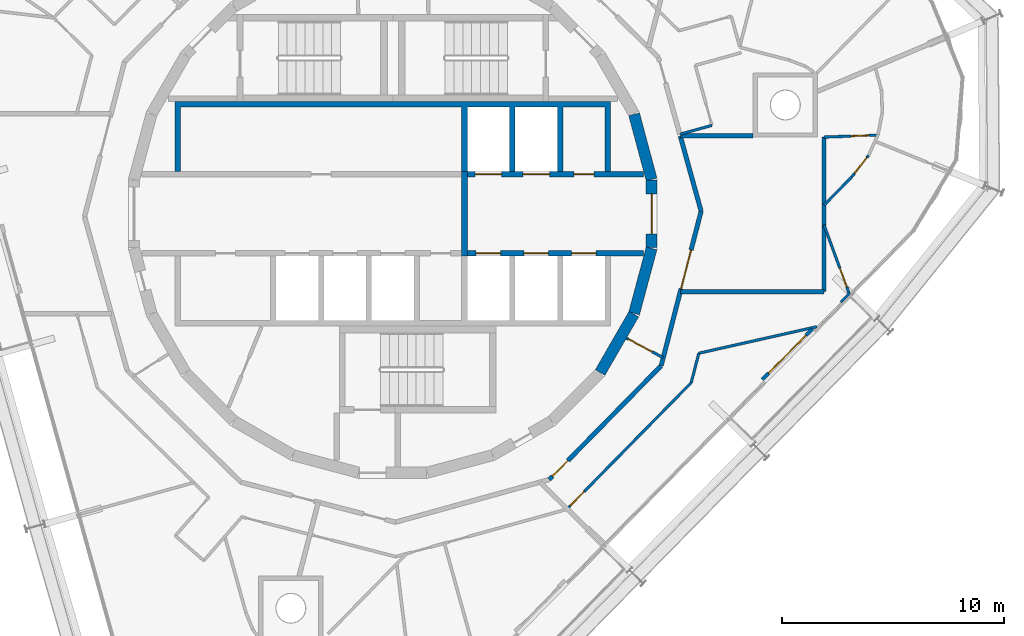
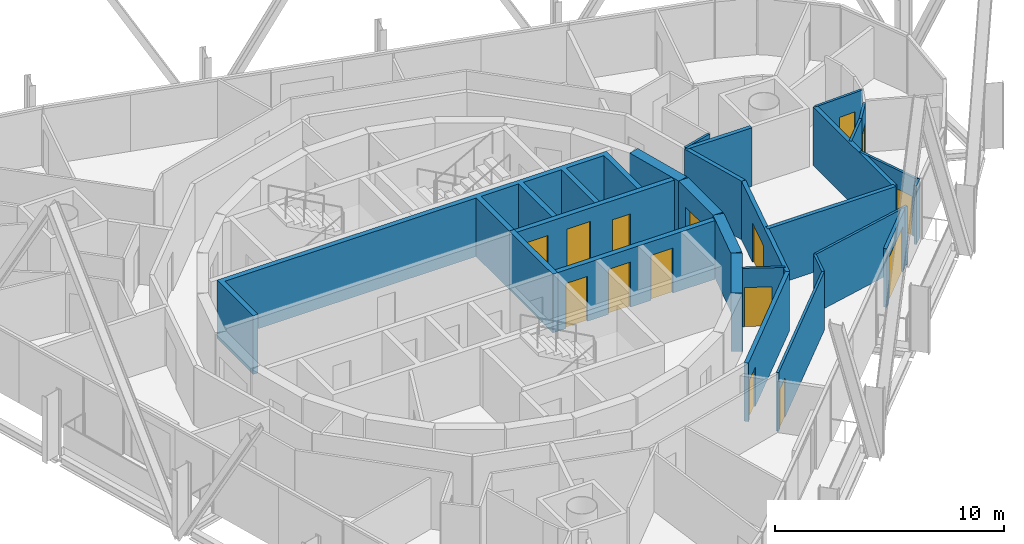
# One storey, part 11 of 15: 25 walls, 15 doors, 15 openings.
"""IFC4 building model written with IfcOpenShell, lengths in metres."""

from ifc_helpers import new_model, si_unit, direction, frame, frame_2d, origin, place, context, subcontext, project, spatial, polyline, rectangle, outline, extrude, material, layer, layer_set, type_object, element, fill, save


model = new_model("IFC4")

# Units and contexts
model_context = context("Model", 3, precision=1e-05, world=origin(), true_north=direction((0.0, 1.0)))
body_context = subcontext(model_context, "Body", "Model", "MODEL_VIEW")
ifc_project = project(units=[si_unit("LENGTHUNIT", "METRE"), si_unit("AREAUNIT", "SQUARE_METRE"), si_unit("VOLUMEUNIT", "CUBIC_METRE"), si_unit("PLANEANGLEUNIT", "RADIAN"), si_unit("MASSUNIT", "GRAM", prefix="KILO")], contexts=[model_context])

# Site, building, storey
site_placement = place(None, origin())
site = spatial("IfcSite", under=ifc_project, at=site_placement, CompositionType="ELEMENT")
building_placement = place(site_placement, origin())
building = spatial("IfcBuilding", under=site, at=building_placement, Name="Spindle Arch Residences", CompositionType="ELEMENT")
storey_placement = place(building_placement, frame((0.0, 0.0, 312.199951171875)))
storey = spatial("IfcBuildingStorey", under=building, at=storey_placement, Name="L80", CompositionType="ELEMENT", Elevation=312.199951171875)

# Walls
ifc_material_1 = material(Name="Concrete C50/60", Category="concrete")
ifc_layer_1 = layer(ifc_material_1, 0.5)
ifc_layer_set_1 = layer_set([ifc_layer_1], Name="Core outline wall 500")
wall_type_1 = type_object("IfcWallType", Name="Core outline wall 500", PredefinedType="SHEAR", material=ifc_layer_set_1)
for number, where, z_axis, x_axis, name in (
    (1, (9.32861328125, -7.13671875, 0.0), (0.0, 0.0, 1.0), (0.500087131594, 0.865975092491, 0.0), "Core outline wall 4"),
    (2, (10.858154296875, -4.479248046875, 0.0), (0.0, 0.0, 1.0), (0.258734743916, 0.965948410781, 0.0), "Core outline wall 5"),
):
    element("IfcWall", number, at=place(storey_placement, frame(where, z_axis=z_axis, x_axis=x_axis)), inside=storey, type_object=wall_type_1, Name=name, PredefinedType="SHEAR", context=body_context, shape_type="SweptSolid", body=[
        extrude(rectangle(XDim=3.03271484375, YDim=0.5, at=frame_2d((1.516357421875, 0.0))), origin(), (0.0, 0.0, 1.0), 3.1201171875),
    ])

# Wall, opening, door
wall_1_placement = place(storey_placement, frame((11.647216796875, -1.516357421875, 0.0), z_axis=(0.0, 0.0, 1.0), x_axis=(0.0, 1.0, 0.0)))
wall_1 = element("IfcWall", 3, at=wall_1_placement, inside=storey, type_object=wall_type_1, Name="Core outline wall 6", PredefinedType="SHEAR", context=body_context, shape_type="SweptSolid", body=[
    extrude(rectangle(XDim=3.03271484375, YDim=0.5, at=frame_2d((1.516357421875, 0.0))), origin(), (0.0, 0.0, 1.0), 3.1201171875),
])
opening_1_placement = place(wall_1_placement, frame((0.6162109375, 0.0, 0.0)))
opening_1 = element("IfcOpeningElement", 4, at=opening_1_placement, cuts=wall_1, Name="Opening R8B0-FE01", PredefinedType="OPENING", context=body_context, shape_type="SweptSolid", body=[
    extrude(rectangle(XDim=1.800048828125, YDim=2.10009765625, at=frame_2d((0.89990234375, 1.050048828125))), frame((0.0, 0.260009765625, 0.0), z_axis=(0.0, -1.0, 0.0), x_axis=(1.0, 0.0, 0.0)), (0.0, 0.0, 1.0), 0.52001953125),
])
ifc_material_2 = material(Name="Steel, fire-resisting door", Category="steel")
door_type_1 = type_object("IfcDoorType", Name="Fire-lift lobby door 1800x2100", OperationType="DOUBLE_DOOR_SINGLE_SWING", PredefinedType="DOOR", material=ifc_material_2)
door_1_placement = place(opening_1_placement, origin())
door_1 = element("IfcDoor", 5, at=door_1_placement, inside=storey, type_object=door_type_1, Name="Fire-lift lobby door R8B0-FE01", OperationType="DOUBLE_DOOR_SINGLE_SWING", OverallHeight=2.10009765625, OverallWidth=1.800048828125, PredefinedType="DOOR", context=body_context, shape_type="SweptSolid", body=[
    extrude(rectangle(XDim=1.800048828125, YDim=2.10009765625, at=frame_2d((0.89990234375, 1.050048828125))), frame((0.0, 0.02490234375, 0.0), z_axis=(0.0, -1.0, 0.0), x_axis=(1.0, 0.0, 0.0)), (0.0, 0.0, 1.0), 0.050048828125),
])
fill(opening_1, door_1)

# Wall
wall_2_placement = place(storey_placement, frame((11.642822265625, 1.5498046875, 0.0), z_axis=(0.0, 0.0, 1.0), x_axis=(-0.258734743916, 0.965948410781, 0.0)))
element("IfcWall", 6, at=wall_2_placement, inside=storey, type_object=wall_type_1, Name="Core outline wall 7", PredefinedType="SHEAR", context=body_context, shape_type="SweptSolid", body=[
    extrude(rectangle(XDim=3.03271484375, YDim=0.5, at=frame_2d((1.516357421875, 0.0))), origin(), (0.0, 0.0, 1.0), 3.1201171875),
])

# Wall, opening, door
ifc_material_3 = material(Name="Plasterboard on steel studs", Category="steel")
ifc_layer_2 = layer(ifc_material_3, 0.1201171875)
ifc_layer_set_2 = layer_set([ifc_layer_2], Name="Corridor division wall 120")
wall_type_2 = type_object("IfcWallType", Name="Corridor division wall 120", PredefinedType="PARTITIONING", material=ifc_layer_set_2)
wall_3_placement = place(storey_placement, frame((10.510986328125, -5.5888671875, 0.0), z_axis=(0.0, 0.0, 1.0), x_axis=(0.882957311919, -0.469453283437, 0.0)))
wall_3 = element("IfcWall", 7, at=wall_3_placement, inside=storey, type_object=wall_type_2, Name="Corridor division wall R8B0-W002", PredefinedType="PARTITIONING", context=body_context, shape_type="SweptSolid", body=[
    extrude(rectangle(XDim=1.87646484375, YDim=0.1201171875, at=frame_2d((0.938232421875, 0.0))), origin(), (0.0, 0.0, 1.0), 3.1201171875),
])
opening_2_placement = place(wall_3_placement, frame((0.10009765625, 0.0, 0.0)))
opening_2 = element("IfcOpeningElement", 8, at=opening_2_placement, cuts=wall_3, Name="Opening R8B0-CD02", PredefinedType="OPENING", context=body_context, shape_type="SweptSolid", body=[
    extrude(rectangle(XDim=1.199951171875, YDim=2.10009765625, at=frame_2d((0.60009765625, 1.050048828125))), frame((0.0, 0.070068359375, 0.0), z_axis=(0.0, -1.0, 0.0), x_axis=(1.0, 0.0, 0.0)), (0.0, 0.0, 1.0), 0.14013671875),
])
ifc_material_4 = material(Name="Steel, fire-resisting door", Category="steel")
door_type_2 = type_object("IfcDoorType", Name="Corridor division door 1200x2100", OperationType="NOTDEFINED", PredefinedType="DOOR", material=ifc_material_4)
door_2_placement = place(opening_2_placement, origin())
door_2 = element("IfcDoor", 9, at=door_2_placement, inside=storey, type_object=door_type_2, Name="Corridor division door R8B0-CD02", OperationType="DOUBLE_DOOR_SINGLE_SWING", OverallHeight=2.10009765625, OverallWidth=1.199951171875, PredefinedType="DOOR", context=body_context, shape_type="SweptSolid", body=[
    extrude(rectangle(XDim=1.199951171875, YDim=2.10009765625, at=frame_2d((0.60009765625, 1.050048828125))), frame((0.0, 0.02490234375, 0.0), z_axis=(0.0, -1.0, 0.0), x_axis=(1.0, 0.0, 0.0)), (0.0, 0.0, 1.0), 0.050048828125),
])
fill(opening_2, door_2)

ifc_material_5 = material(Name="Calcium silicate block, plastered")
ifc_layer_3 = layer(ifc_material_5, 0.199951171875)
ifc_layer_set_3 = layer_set([ifc_layer_3], Name="Corridor wall 200")
wall_type_3 = type_object("IfcWallType", Name="Corridor wall 200", PredefinedType="STANDARD", material=ifc_layer_set_3)
wall_4_placement = place(storey_placement, frame((7.041015625, -11.953125, 0.0), z_axis=(0.0, 0.0, 1.0), x_axis=(0.70090916255, 0.713250549143, 0.0)))
wall_4 = element("IfcWall", 10, at=wall_4_placement, inside=storey, type_object=wall_type_3, Name="Corridor wall R8B0-W016", PredefinedType="STANDARD", context=body_context, shape_type="SweptSolid", body=[
    extrude(rectangle(XDim=7.180908203125, YDim=0.199951171875, at=frame_2d((3.59033203125, 0.0))), origin(), (0.0, 0.0, 1.0), 3.1201171875),
])
opening_3_placement = place(wall_4_placement, frame((0.199951171875, 0.0, 0.0)))
opening_3 = element("IfcOpeningElement", 11, at=opening_3_placement, cuts=wall_4, Name="Opening R8B0-FD06", PredefinedType="OPENING", context=body_context, shape_type="SweptSolid", body=[
    extrude(rectangle(XDim=1.0, YDim=2.10009765625, at=frame_2d((0.5, 1.050048828125))), frame((0.0, 0.10986328125, 0.0), z_axis=(0.0, -1.0, 0.0), x_axis=(1.0, 0.0, 0.0)), (0.0, 0.0, 1.0), 0.219970703125),
])
ifc_material_6 = material(Name="Timber, fire-resisting door set", Category="wood")
door_type_3 = type_object("IfcDoorType", Name="Flat entrance door 1000x2100", OperationType="NOTDEFINED", PredefinedType="DOOR", material=ifc_material_6)
door_3_placement = place(opening_3_placement, origin())
door_3 = element("IfcDoor", 12, at=door_3_placement, inside=storey, type_object=door_type_3, Name="Flat entrance door R8B0-FD06", OperationType="SINGLE_SWING_LEFT", OverallHeight=2.10009765625, OverallWidth=1.0, PredefinedType="DOOR", context=body_context, shape_type="SweptSolid", body=[
    extrude(rectangle(XDim=1.0, YDim=2.10009765625, at=frame_2d((0.5, 1.050048828125))), frame((0.0, 0.02490234375, 0.0), z_axis=(0.0, -1.0, 0.0), x_axis=(1.0, 0.0, 0.0)), (0.0, 0.0, 1.0), 0.050048828125),
])
fill(opening_3, door_3)

ifc_material_7 = material(Name="Calcium silicate block, plastered")
ifc_layer_4 = layer(ifc_material_7, 0.199951171875)
ifc_layer_set_4 = layer_set([ifc_layer_4], Name="Fire-lift lobby bay wall 200")
wall_type_4 = type_object("IfcWallType", Name="Fire-lift lobby bay wall 200", PredefinedType="STANDARD", material=ifc_layer_set_4)
wall_5_placement = place(storey_placement, frame((12.07421875, -6.831298828125, 0.0), z_axis=(0.0, 0.0, 1.0), x_axis=(0.250391063186, 0.968144780225, 0.0)))
wall_5 = element("IfcWall", 13, at=wall_5_placement, inside=storey, type_object=wall_type_4, Name="Fire-lift lobby bay wall R8B0-W004", PredefinedType="STANDARD", context=body_context, shape_type="SweptSolid", body=[
    extrude(rectangle(XDim=7.18115234375, YDim=0.199951171875, at=frame_2d((3.590576171875, 0.0))), origin(), (0.0, 0.0, 1.0), 3.1201171875),
])
opening_4_placement = place(wall_5_placement, frame((3.580810546875, 0.0, 0.0)))
opening_4 = element("IfcOpeningElement", 14, at=opening_4_placement, cuts=wall_5, Name="Opening R8B0-FB01", PredefinedType="OPENING", context=body_context, shape_type="SweptSolid", body=[
    extrude(rectangle(XDim=1.800048828125, YDim=2.10009765625, at=frame_2d((0.89990234375, 1.050048828125))), frame((0.0, 0.10986328125, 0.0), z_axis=(0.0, -1.0, 0.0), x_axis=(1.0, 0.0, 0.0)), (0.0, 0.0, 1.0), 0.219970703125),
])
ifc_material_8 = material(Name="Steel, fire-resisting door", Category="steel")
door_type_4 = type_object("IfcDoorType", Name="Fire-lift lobby bay door 1800x2100", OperationType="NOTDEFINED", PredefinedType="DOOR", material=ifc_material_8)
door_4_placement = place(opening_4_placement, origin())
door_4 = element("IfcDoor", 15, at=door_4_placement, inside=storey, type_object=door_type_4, Name="Fire-lift lobby bay door R8B0-FB01", OperationType="DOUBLE_DOOR_SINGLE_SWING", OverallHeight=2.10009765625, OverallWidth=1.800048828125, PredefinedType="DOOR", context=body_context, shape_type="SweptSolid", body=[
    extrude(rectangle(XDim=1.800048828125, YDim=2.10009765625, at=frame_2d((0.89990234375, 1.050048828125))), frame((0.0, 0.02490234375, 0.0), z_axis=(0.0, -1.0, 0.0), x_axis=(1.0, 0.0, 0.0)), (0.0, 0.0, 1.0), 0.050048828125),
])
fill(opening_4, door_4)

# Walls
wall_6_placement = place(storey_placement, frame((13.872314453125, 0.12109375, 0.0), z_axis=(0.0, 0.0, 1.0), x_axis=(-0.267291928416, 0.963615600228, 0.0)))
element("IfcWall", 16, at=wall_6_placement, inside=storey, type_object=wall_type_4, Name="Fire-lift lobby bay wall R8B0-W005", PredefinedType="STANDARD", context=body_context, shape_type="SweptSolid", body=[
    extrude(rectangle(XDim=3.506591796875, YDim=0.199951171875, at=frame_2d((1.75341796875, 0.0))), origin(), (0.0, 0.0, 1.0), 3.1201171875),
])
wall_7_placement = place(storey_placement, frame((16.20263671875, 3.510009765625, 0.0), z_axis=(0.0, 0.0, 1.0), x_axis=(-1.0, 0.0, 0.0)))
element("IfcWall", 17, at=wall_7_placement, inside=storey, type_object=wall_type_4, Name="Fire-lift lobby bay wall R8B0-W019", PredefinedType="STANDARD", context=body_context, shape_type="SweptSolid", body=[
    extrude(rectangle(XDim=3.260009765625, YDim=0.199951171875, at=frame_2d((1.6298828125, 0.0))), origin(), (0.0, 0.0, 1.0), 3.1201171875),
])
wall_8_placement = place(storey_placement, frame((12.935791015625, -3.5, 0.0), z_axis=(0.0, 0.0, 1.0), x_axis=(1.0, 0.0, 0.0)))
element("IfcWall", 18, at=wall_8_placement, inside=storey, type_object=wall_type_4, Name="Fire-lift lobby bay wall R8B0-W020", PredefinedType="STANDARD", context=body_context, shape_type="SweptSolid", body=[
    extrude(rectangle(XDim=6.464111328125, YDim=0.199951171875, at=frame_2d((3.23193359375, 0.0))), origin(), (0.0, 0.0, 1.0), 3.1201171875),
])
wall_9_placement = place(storey_placement, frame((19.39990234375, -3.5, 0.0), z_axis=(0.0, 0.0, 1.0), x_axis=(0.0, 1.0, 0.0)))
element("IfcWall", 19, at=wall_9_placement, inside=storey, type_object=wall_type_4, Name="Fire-lift lobby bay wall R8B0-W021", PredefinedType="STANDARD", context=body_context, shape_type="SweptSolid", body=[
    extrude(rectangle(XDim=6.953857421875, YDim=0.199951171875, at=frame_2d((3.47705078125, 0.0))), origin(), (0.0, 0.0, 1.0), 3.1201171875),
])

# Wall, openings, doors
ifc_material_9 = material(Name="Concrete C40/50", Category="concrete")
ifc_layer_5 = layer(ifc_material_9, 0.25)
ifc_layer_set_5 = layer_set([ifc_layer_5], Name="Fire-lift lobby wall 250")
wall_type_5 = type_object("IfcWallType", Name="Fire-lift lobby wall 250", PredefinedType="SHEAR", material=ifc_layer_set_5)
wall_10_placement = place(storey_placement, frame((3.35009765625, 1.77490234375, 0.0), z_axis=(0.0, 0.0, 1.0), x_axis=(1.0, 0.0, 0.0)))
wall_10 = element("IfcWall", 20, at=wall_10_placement, inside=storey, type_object=wall_type_5, Name="Lift shaft front wall NE", PredefinedType="SHEAR", context=body_context, shape_type="SweptSolid", body=[
    extrude(rectangle(XDim=7.929931640625, YDim=0.25, at=frame_2d((3.96484375, 0.0))), origin(), (0.0, 0.0, 1.0), 3.1201171875),
])
opening_5_placement = place(wall_10_placement, frame((0.35009765625, 0.0, 0.0)))
opening_5 = element("IfcOpeningElement", 21, at=opening_5_placement, cuts=wall_10, Name="Opening R8B0-SLD01", PredefinedType="OPENING", context=body_context, shape_type="SweptSolid", body=[
    extrude(rectangle(XDim=1.199951171875, YDim=2.39990234375, at=frame_2d((0.60009765625, 1.199951171875))), frame((0.0, 0.135009765625, 0.0), z_axis=(0.0, -1.0, 0.0), x_axis=(1.0, 0.0, 0.0)), (0.0, 0.0, 1.0), 0.27001953125),
])
opening_6_placement = place(wall_10_placement, frame((2.5, 0.0, 0.0)))
opening_6 = element("IfcOpeningElement", 22, at=opening_6_placement, cuts=wall_10, Name="Opening R8B0-SLD02", PredefinedType="OPENING", context=body_context, shape_type="SweptSolid", body=[
    extrude(rectangle(XDim=1.199951171875, YDim=2.39990234375, at=frame_2d((0.60009765625, 1.199951171875))), frame((0.0, 0.135009765625, 0.0), z_axis=(0.0, -1.0, 0.0), x_axis=(1.0, 0.0, 0.0)), (0.0, 0.0, 1.0), 0.27001953125),
])
opening_7_placement = place(wall_10_placement, frame((4.800048828125, 0.0, 0.0)))
opening_7 = element("IfcOpeningElement", 23, at=opening_7_placement, cuts=wall_10, Name="Opening R8B0-WD02", PredefinedType="OPENING", context=body_context, shape_type="SweptSolid", body=[
    extrude(rectangle(XDim=0.89990234375, YDim=2.10009765625, at=frame_2d((0.449951171875, 1.050048828125))), frame((0.0, 0.135009765625, 0.0), z_axis=(0.0, -1.0, 0.0), x_axis=(1.0, 0.0, 0.0)), (0.0, 0.0, 1.0), 0.27001953125),
])
ifc_material_10 = material(Name="Steel, fire-resisting landing door", Category="steel")
door_type_5 = type_object("IfcDoorType", Name="Service lift landing door 1200x2400", OperationType="DOUBLE_DOOR_SLIDING", PredefinedType="DOOR", material=ifc_material_10)
door_5_placement = place(opening_5_placement, origin())
door_5 = element("IfcDoor", 24, at=door_5_placement, inside=storey, type_object=door_type_5, Name="Service lift landing door R8B0-SLD01", OperationType="DOUBLE_DOOR_SLIDING", OverallHeight=2.39990234375, OverallWidth=1.199951171875, PredefinedType="DOOR", context=body_context, shape_type="SweptSolid", body=[
    extrude(rectangle(XDim=1.199951171875, YDim=2.39990234375, at=frame_2d((0.60009765625, 1.199951171875))), frame((0.0, 0.02490234375, 0.0), z_axis=(0.0, -1.0, 0.0), x_axis=(1.0, 0.0, 0.0)), (0.0, 0.0, 1.0), 0.050048828125),
])
fill(opening_5, door_5)
door_6_placement = place(opening_6_placement, origin())
door_6 = element("IfcDoor", 25, at=door_6_placement, inside=storey, type_object=door_type_5, Name="Service lift landing door R8B0-SLD02", OperationType="DOUBLE_DOOR_SLIDING", OverallHeight=2.39990234375, OverallWidth=1.199951171875, PredefinedType="DOOR", context=body_context, shape_type="SweptSolid", body=[
    extrude(rectangle(XDim=1.199951171875, YDim=2.39990234375, at=frame_2d((0.60009765625, 1.199951171875))), frame((0.0, 0.02490234375, 0.0), z_axis=(0.0, -1.0, 0.0), x_axis=(1.0, 0.0, 0.0)), (0.0, 0.0, 1.0), 0.050048828125),
])
fill(opening_6, door_6)
ifc_material_11 = material(Name="Steel, fire-resisting door", Category="steel")
door_type_6 = type_object("IfcDoorType", Name="Service room door 900x2100", OperationType="SINGLE_SWING_LEFT", PredefinedType="DOOR", material=ifc_material_11)
door_7_placement = place(opening_7_placement, origin())
door_7 = element("IfcDoor", 26, at=door_7_placement, inside=storey, type_object=door_type_6, Name="Service room door R8B0-WD02", OperationType="SINGLE_SWING_RIGHT", OverallHeight=2.10009765625, OverallWidth=0.89990234375, PredefinedType="DOOR", context=body_context, shape_type="SweptSolid", body=[
    extrude(rectangle(XDim=0.89990234375, YDim=2.10009765625, at=frame_2d((0.449951171875, 1.050048828125))), frame((0.0, 0.02490234375, 0.0), z_axis=(0.0, -1.0, 0.0), x_axis=(1.0, 0.0, 0.0)), (0.0, 0.0, 1.0), 0.050048828125),
])
fill(opening_7, door_7)

# Wall
wall_11_placement = place(storey_placement, frame((3.22509765625, -1.89990234375, 0.0), z_axis=(0.0, 0.0, 1.0), x_axis=(0.0, 1.0, 0.0)))
element("IfcWall", 27, at=wall_11_placement, inside=storey, type_object=wall_type_5, Name="Fire-fighting lobby partition", PredefinedType="SHEAR", context=body_context, shape_type="SweptSolid", body=[
    extrude(rectangle(XDim=3.7998046875, YDim=0.25, at=frame_2d((1.89990234375, 0.0))), origin(), (0.0, 0.0, 1.0), 3.1201171875),
])

# Wall, openings, doors
ifc_material_12 = material(Name="Concrete C50/60", Category="concrete")
ifc_layer_6 = layer(ifc_material_12, 0.25)
ifc_layer_set_6 = layer_set([ifc_layer_6], Name="Fire-lift shaft wall 250")
wall_type_6 = type_object("IfcWallType", Name="Fire-lift shaft wall 250", PredefinedType="SHEAR", material=ifc_layer_set_6)
wall_12_placement = place(storey_placement, frame((3.35009765625, -1.77490234375, 0.0), z_axis=(0.0, 0.0, 1.0), x_axis=(1.0, 0.0, 0.0)))
wall_12 = element("IfcWall", 28, at=wall_12_placement, inside=storey, type_object=wall_type_6, Name="Lift shaft front wall SE", PredefinedType="SHEAR", context=body_context, shape_type="SweptSolid", body=[
    extrude(rectangle(XDim=7.929931640625, YDim=0.25, at=frame_2d((3.96484375, 0.0))), origin(), (0.0, 0.0, 1.0), 3.1201171875),
])
opening_8_placement = place(wall_12_placement, frame((0.39990234375, 0.0, 0.0)))
opening_8 = element("IfcOpeningElement", 29, at=opening_8_placement, cuts=wall_12, Name="Opening R8B0-FLD01", PredefinedType="OPENING", context=body_context, shape_type="SweptSolid", body=[
    extrude(rectangle(XDim=1.10009765625, YDim=2.39990234375, at=frame_2d((0.550048828125, 1.199951171875))), frame((0.0, 0.135009765625, 0.0), z_axis=(0.0, -1.0, 0.0), x_axis=(1.0, 0.0, 0.0)), (0.0, 0.0, 1.0), 0.27001953125),
])
opening_9_placement = place(wall_12_placement, frame((2.550048828125, 0.0, 0.0)))
opening_9 = element("IfcOpeningElement", 30, at=opening_9_placement, cuts=wall_12, Name="Opening R8B0-FLD02", PredefinedType="OPENING", context=body_context, shape_type="SweptSolid", body=[
    extrude(rectangle(XDim=1.10009765625, YDim=2.39990234375, at=frame_2d((0.550048828125, 1.199951171875))), frame((0.0, 0.135009765625, 0.0), z_axis=(0.0, -1.0, 0.0), x_axis=(1.0, 0.0, 0.0)), (0.0, 0.0, 1.0), 0.27001953125),
])
opening_10_placement = place(wall_12_placement, frame((4.699951171875, 0.0, 0.0)))
opening_10 = element("IfcOpeningElement", 31, at=opening_10_placement, cuts=wall_12, Name="Opening R8B0-FLD03", PredefinedType="OPENING", context=body_context, shape_type="SweptSolid", body=[
    extrude(rectangle(XDim=1.10009765625, YDim=2.39990234375, at=frame_2d((0.550048828125, 1.199951171875))), frame((0.0, 0.135009765625, 0.0), z_axis=(0.0, -1.0, 0.0), x_axis=(1.0, 0.0, 0.0)), (0.0, 0.0, 1.0), 0.27001953125),
])
ifc_material_13 = material(Name="Steel, fire-resisting landing door", Category="steel")
door_type_7 = type_object("IfcDoorType", Name="Fire-fighting lift landing door 1100x2400", OperationType="DOUBLE_DOOR_SLIDING", PredefinedType="DOOR", material=ifc_material_13)
door_8_placement = place(opening_8_placement, origin())
door_8 = element("IfcDoor", 32, at=door_8_placement, inside=storey, type_object=door_type_7, Name="Fire-fighting lift landing door R8B0-FLD01", OperationType="DOUBLE_DOOR_SLIDING", OverallHeight=2.39990234375, OverallWidth=1.10009765625, PredefinedType="DOOR", context=body_context, shape_type="SweptSolid", body=[
    extrude(rectangle(XDim=1.10009765625, YDim=2.39990234375, at=frame_2d((0.550048828125, 1.199951171875))), frame((0.0, 0.02490234375, 0.0), z_axis=(0.0, -1.0, 0.0), x_axis=(1.0, 0.0, 0.0)), (0.0, 0.0, 1.0), 0.050048828125),
])
fill(opening_8, door_8)
door_9_placement = place(opening_9_placement, origin())
door_9 = element("IfcDoor", 33, at=door_9_placement, inside=storey, type_object=door_type_7, Name="Fire-fighting lift landing door R8B0-FLD02", OperationType="DOUBLE_DOOR_SLIDING", OverallHeight=2.39990234375, OverallWidth=1.10009765625, PredefinedType="DOOR", context=body_context, shape_type="SweptSolid", body=[
    extrude(rectangle(XDim=1.10009765625, YDim=2.39990234375, at=frame_2d((0.550048828125, 1.199951171875))), frame((0.0, 0.02490234375, 0.0), z_axis=(0.0, -1.0, 0.0), x_axis=(1.0, 0.0, 0.0)), (0.0, 0.0, 1.0), 0.050048828125),
])
fill(opening_9, door_9)
door_10_placement = place(opening_10_placement, origin())
door_10 = element("IfcDoor", 34, at=door_10_placement, inside=storey, type_object=door_type_7, Name="Fire-fighting lift landing door R8B0-FLD03", OperationType="DOUBLE_DOOR_SLIDING", OverallHeight=2.39990234375, OverallWidth=1.10009765625, PredefinedType="DOOR", context=body_context, shape_type="SweptSolid", body=[
    extrude(rectangle(XDim=1.10009765625, YDim=2.39990234375, at=frame_2d((0.550048828125, 1.199951171875))), frame((0.0, 0.02490234375, 0.0), z_axis=(0.0, -1.0, 0.0), x_axis=(1.0, 0.0, 0.0)), (0.0, 0.0, 1.0), 0.050048828125),
])
fill(opening_10, door_10)

# Walls
ifc_material_14 = material(Name="Plasterboard on steel studs", Category="steel")
ifc_layer_7 = layer(ifc_material_14, 0.1201171875)
ifc_layer_set_7 = layer_set([ifc_layer_7], Name="Flat partition 120")
wall_type_7 = type_object("IfcWallType", Name="Flat partition 120", PredefinedType="PARTITIONING", material=ifc_layer_set_7)
wall_13_placement = place(storey_placement, frame((12.927001953125, 3.5849609375, 0.0), z_axis=(0.0, 0.0, 1.0), x_axis=(0.963616756608, 0.26728775951, 0.0)))
element("IfcWall", 35, at=wall_13_placement, inside=storey, type_object=wall_type_7, Name="Flat partition R8B0-W030", PredefinedType="PARTITIONING", context=body_context, shape_type="SweptSolid", body=[
    extrude(rectangle(XDim=1.485107421875, YDim=0.1201171875, at=frame_2d((0.74267578125, 0.0))), origin(), (0.0, 0.0, 1.0), 3.1201171875),
])
wall_14_placement = place(storey_placement, frame((20.56591796875, -3.56103515625, 0.0), z_axis=(0.0, 0.0, 1.0), x_axis=(-0.700950066256, -0.713210350889, 0.0)))
element("IfcWall", 36, at=wall_14_placement, inside=storey, type_object=wall_type_7, Name="Flat partition R8B0-W074", PredefinedType="PARTITIONING", context=body_context, shape_type="SweptSolid", body=[
    extrude(rectangle(XDim=0.577392578125, YDim=0.1201171875, at=frame_2d((0.28857421875, 0.0))), origin(), (0.0, 0.0, 1.0), 3.1201171875),
])

# Wall, opening, door
wall_15_placement = place(storey_placement, frame((20.534912109375, -3.592529296875, 0.0), z_axis=(0.0, 0.0, 1.0), x_axis=(-0.344065452993, 0.93894566619, 0.0)))
wall_15 = element("IfcWall", 37, at=wall_15_placement, inside=storey, type_object=wall_type_7, Name="Flat partition R8B0-W075", PredefinedType="PARTITIONING", context=body_context, shape_type="SweptSolid", body=[
    extrude(rectangle(XDim=3.298828125, YDim=0.1201171875, at=frame_2d((1.6494140625, 0.0))), origin(), (0.0, 0.0, 1.0), 3.1201171875),
])
opening_11_placement = place(wall_15_placement, frame((0.320068359375, 0.0, 0.0)))
opening_11 = element("IfcOpeningElement", 38, at=opening_11_placement, cuts=wall_15, Name="Opening R8B0-ID18", PredefinedType="OPENING", context=body_context, shape_type="SweptSolid", body=[
    extrude(rectangle(XDim=0.89990234375, YDim=2.10009765625, at=frame_2d((0.449951171875, 1.050048828125))), frame((0.0, 0.070068359375, 0.0), z_axis=(0.0, -1.0, 0.0), x_axis=(1.0, 0.0, 0.0)), (0.0, 0.0, 1.0), 0.14013671875),
])
ifc_material_15 = material(Name="Timber door set", Category="wood")
door_type_8 = type_object("IfcDoorType", Name="Room door 900x2100", OperationType="NOTDEFINED", PredefinedType="DOOR", material=ifc_material_15)
door_11_placement = place(opening_11_placement, origin())
door_11 = element("IfcDoor", 39, at=door_11_placement, inside=storey, type_object=door_type_8, Name="Room door R8B0-ID18", OperationType="SINGLE_SWING_RIGHT", OverallHeight=2.10009765625, OverallWidth=0.89990234375, PredefinedType="DOOR", context=body_context, shape_type="SweptSolid", body=[
    extrude(rectangle(XDim=0.89990234375, YDim=2.10009765625, at=frame_2d((0.449951171875, 1.050048828125))), frame((0.0, 0.02490234375, 0.0), z_axis=(0.0, -1.0, 0.0), x_axis=(1.0, 0.0, 0.0)), (0.0, 0.0, 1.0), 0.050048828125),
])
fill(opening_11, door_11)

wall_16_placement = place(storey_placement, frame((7.846435546875, -13.2734375, 0.0), z_axis=(0.0, 0.0, 1.0), x_axis=(0.700915117659, 0.713244697027, 0.0)))
wall_16 = element("IfcWall", 40, at=wall_16_placement, inside=storey, type_object=wall_type_7, Name="Flat partition R8B0-W076", PredefinedType="PARTITIONING", context=body_context, shape_type="SweptSolid", body=[
    extrude(rectangle(XDim=7.960205078125, YDim=0.1201171875, at=frame_2d((3.97998046875, 0.0))), origin(), (0.0, 0.0, 1.0), 3.1201171875),
])
opening_12_placement = place(wall_16_placement, frame((0.199951171875, 0.0, 0.0)))
opening_12 = element("IfcOpeningElement", 41, at=opening_12_placement, cuts=wall_16, Name="Opening R8B0-ID19", PredefinedType="OPENING", context=body_context, shape_type="SweptSolid", body=[
    extrude(rectangle(XDim=0.89990234375, YDim=2.10009765625, at=frame_2d((0.449951171875, 1.050048828125))), frame((0.0, 0.070068359375, 0.0), z_axis=(0.0, -1.0, 0.0), x_axis=(1.0, 0.0, 0.0)), (0.0, 0.0, 1.0), 0.14013671875),
])
door_12_placement = place(opening_12_placement, origin())
door_12 = element("IfcDoor", 42, at=door_12_placement, inside=storey, type_object=door_type_8, Name="Room door R8B0-ID19", OperationType="SINGLE_SWING_LEFT", OverallHeight=2.10009765625, OverallWidth=0.89990234375, PredefinedType="DOOR", context=body_context, shape_type="SweptSolid", body=[
    extrude(rectangle(XDim=0.89990234375, YDim=2.10009765625, at=frame_2d((0.449951171875, 1.050048828125))), frame((0.0, 0.02490234375, 0.0), z_axis=(0.0, -1.0, 0.0), x_axis=(1.0, 0.0, 0.0)), (0.0, 0.0, 1.0), 0.050048828125),
])
fill(opening_12, door_12)

# Walls
wall_17_placement = place(storey_placement, frame((13.42578125, -7.595947265625, 0.0), z_axis=(0.0, 0.0, 1.0), x_axis=(0.250417410425, 0.968137965662, 0.0)))
element("IfcWall", 43, at=wall_17_placement, inside=storey, type_object=wall_type_7, Name="Flat partition R8B0-W077", PredefinedType="PARTITIONING", context=body_context, shape_type="SweptSolid", body=[
    extrude(rectangle(XDim=1.368896484375, YDim=0.1201171875, at=frame_2d((0.6845703125, 0.0))), origin(), (0.0, 0.0, 1.0), 3.1201171875),
])
wall_18_placement = place(storey_placement, frame((13.7685546875, -6.270751953125, 0.0), z_axis=(0.0, 0.0, 1.0), x_axis=(0.975656114164, 0.219306057589, 0.0)))
element("IfcWall", 44, at=wall_18_placement, inside=storey, type_object=wall_type_7, Name="Flat partition R8B0-W078", PredefinedType="PARTITIONING", context=body_context, shape_type="SweptSolid", body=[
    extrude(rectangle(XDim=5.439208984375, YDim=0.1201171875, at=frame_2d((2.7197265625, 0.0))), origin(), (0.0, 0.0, 1.0), 3.1201171875),
])

# Wall, opening, door
wall_19_placement = place(storey_placement, frame((21.406494140625, 2.6337890625, 0.0), z_axis=(0.0, 0.0, 1.0), x_axis=(-0.613444581667, -0.789737769911, 0.0)))
wall_19 = element("IfcWall", 45, at=wall_19_placement, inside=storey, type_object=wall_type_7, Name="Flat partition R8B0-W080", PredefinedType="PARTITIONING", context=body_context, shape_type="SweptSolid", body=[
    extrude(rectangle(XDim=1.22705078125, YDim=0.1201171875, at=frame_2d((0.613525390625, 0.0))), origin(), (0.0, 0.0, 1.0), 3.1201171875),
])
opening_13_placement = place(wall_19_placement, frame((0.1201171875, 0.0, 0.0)))
opening_13 = element("IfcOpeningElement", 46, at=opening_13_placement, cuts=wall_19, Name="Opening R8B0-ID20", PredefinedType="OPENING", context=body_context, shape_type="SweptSolid", body=[
    extrude(rectangle(XDim=0.89990234375, YDim=2.10009765625, at=frame_2d((0.449951171875, 1.050048828125))), frame((0.0, 0.070068359375, 0.0), z_axis=(0.0, -1.0, 0.0), x_axis=(1.0, 0.0, 0.0)), (0.0, 0.0, 1.0), 0.14013671875),
])
door_13_placement = place(opening_13_placement, origin())
door_13 = element("IfcDoor", 47, at=door_13_placement, inside=storey, type_object=door_type_8, Name="Room door R8B0-ID20", OperationType="SINGLE_SWING_RIGHT", OverallHeight=2.10009765625, OverallWidth=0.89990234375, PredefinedType="DOOR", context=body_context, shape_type="SweptSolid", body=[
    extrude(rectangle(XDim=0.89990234375, YDim=2.10009765625, at=frame_2d((0.449951171875, 1.050048828125))), frame((0.0, 0.02490234375, 0.0), z_axis=(0.0, -1.0, 0.0), x_axis=(1.0, 0.0, 0.0)), (0.0, 0.0, 1.0), 0.050048828125),
])
fill(opening_13, door_13)

# Wall
wall_20_placement = place(storey_placement, frame((20.65380859375, 1.664794921875, 0.0), z_axis=(0.0, 0.0, 1.0), x_axis=(-0.700870484553, -0.713288555833, 0.0)))
element("IfcWall", 48, at=wall_20_placement, inside=storey, type_object=wall_type_7, Name="Flat partition R8B0-W081", PredefinedType="PARTITIONING", context=body_context, shape_type="SweptSolid", body=[
    extrude(rectangle(XDim=1.7890625, YDim=0.1201171875, at=frame_2d((0.89453125, 0.0))), origin(), (0.0, 0.0, 1.0), 3.1201171875),
])

# Wall, opening, door
wall_21_placement = place(storey_placement, frame((21.822021484375, 3.54541015625, 0.0), z_axis=(0.0, 0.0, 1.0), x_axis=(-0.999286397149, -0.037771635816, 0.0)))
wall_21 = element("IfcWall", 49, at=wall_21_placement, inside=storey, type_object=wall_type_7, Name="Flat partition R8B0-W083", PredefinedType="PARTITIONING", context=body_context, shape_type="SweptSolid", body=[
    extrude(rectangle(XDim=2.423828125, YDim=0.1201171875, at=frame_2d((1.2119140625, 0.0))), origin(), (0.0, 0.0, 1.0), 3.1201171875),
])
opening_14_placement = place(wall_21_placement, frame((0.39990234375, 0.0, 0.0)))
opening_14 = element("IfcOpeningElement", 50, at=opening_14_placement, cuts=wall_21, Name="Opening R8B0-BD06", PredefinedType="OPENING", context=body_context, shape_type="SweptSolid", body=[
    extrude(rectangle(XDim=0.800048828125, YDim=2.10009765625, at=frame_2d((0.39990234375, 1.050048828125))), frame((0.0, 0.070068359375, 0.0), z_axis=(0.0, -1.0, 0.0), x_axis=(1.0, 0.0, 0.0)), (0.0, 0.0, 1.0), 0.14013671875),
])
ifc_material_16 = material(Name="Timber door set", Category="wood")
door_type_9 = type_object("IfcDoorType", Name="Bathroom door 800x2100", OperationType="NOTDEFINED", PredefinedType="DOOR", material=ifc_material_16)
door_14_placement = place(opening_14_placement, origin())
door_14 = element("IfcDoor", 51, at=door_14_placement, inside=storey, type_object=door_type_9, Name="Bathroom door R8B0-BD06", OperationType="SINGLE_SWING_RIGHT", OverallHeight=2.10009765625, OverallWidth=0.800048828125, PredefinedType="DOOR", context=body_context, shape_type="SweptSolid", body=[
    extrude(rectangle(XDim=0.800048828125, YDim=2.10009765625, at=frame_2d((0.39990234375, 1.050048828125))), frame((0.0, 0.02490234375, 0.0), z_axis=(0.0, -1.0, 0.0), x_axis=(1.0, 0.0, 0.0)), (0.0, 0.0, 1.0), 0.050048828125),
])
fill(opening_14, door_14)

ifc_material_17 = material(Name="Non-combustible mineral wool insulated aluminium faced external wall (K0)", Category="aluminium")
ifc_layer_8 = layer(ifc_material_17, 0.159912109375)
ifc_layer_set_8 = layer_set([ifc_layer_8], Name="Insulated external wall panel 160")
wall_type_8 = type_object("IfcWallType", Name="Insulated external wall panel 160", PredefinedType="STANDARD", material=ifc_layer_set_8)
wall_22_placement = place(storey_placement, frame((16.6259765625, -7.456298828125, 0.0), z_axis=(0.0, 0.0, 1.0), x_axis=(0.700900076932, 0.713259477439, 0.0)))
wall_22 = element("IfcWall", 52, at=wall_22_placement, inside=storey, type_object=wall_type_8, Name="External wall L80 bay 1", PredefinedType="STANDARD", context=body_context, shape_type="SweptSolid", body=[
    extrude(rectangle(XDim=3.199951171875, YDim=0.159912109375, at=frame_2d((1.60009765625, 0.0))), origin(), (0.0, 0.0, 1.0), 3.1201171875),
])
opening_15_placement = place(wall_22_placement, frame((0.39990234375, 0.0, 0.0)))
opening_15 = element("IfcOpeningElement", 53, at=opening_15_placement, cuts=wall_22, Name="Opening BD01", PredefinedType="OPENING", context=body_context, shape_type="SweptSolid", body=[
    extrude(rectangle(XDim=2.39990234375, YDim=2.39990234375, at=frame_2d((1.199951171875, 1.199951171875))), frame((0.0, 0.08984375, 0.0), z_axis=(0.0, -1.0, 0.0), x_axis=(1.0, 0.0, 0.0)), (0.0, 0.0, 1.0), 0.179931640625),
])
ifc_material_18 = material(Name="Bronze aluminium frame, tinted double glazing", Category="aluminium")
door_type_10 = type_object("IfcDoorType", Name="Sliding glazed balcony door 2400x2400", OperationType="DOUBLE_DOOR_SLIDING", PredefinedType="DOOR", material=ifc_material_18)
door_15_placement = place(opening_15_placement, origin())
door_15 = element("IfcDoor", 54, at=door_15_placement, inside=storey, type_object=door_type_10, Name="Balcony door BD01", OperationType="DOUBLE_DOOR_SLIDING", OverallHeight=2.39990234375, OverallWidth=2.39990234375, PredefinedType="DOOR", context=body_context, shape_type="SweptSolid", body=[
    extrude(rectangle(XDim=2.39990234375, YDim=2.39990234375, at=frame_2d((1.199951171875, 1.199951171875))), frame((0.0, 0.02490234375, 0.0), z_axis=(0.0, -1.0, 0.0), x_axis=(1.0, 0.0, 0.0)), (0.0, 0.0, 1.0), 0.050048828125),
])
fill(opening_15, door_15)

# Wall
ifc_material_19 = material(Name="Concrete C50/60", Category="concrete")
wall_type_9 = type_object("IfcWallType", Name="Lift shaft wall profile", PredefinedType="SHEAR", material=ifc_material_19)
wall_23_placement = place(storey_placement, origin())
element("IfcWall", 55, at=wall_23_placement, inside=storey, type_object=wall_type_9, Name="Lift shaft walls N", PredefinedType="SHEAR", context=body_context, shape_type="SweptSolid", body=[
    extrude(outline(polyline([(-9.800048828125, 1.89990234375), (-9.550048828125, 1.89990234375), (-9.550048828125, 4.800048828125), (3.10009765625, 4.800048828125), (3.10009765625, 1.89990234375), (3.35009765625, 1.89990234375), (3.35009765625, 4.800048828125), (5.25, 4.800048828125), (5.25, 1.89990234375), (5.5, 1.89990234375), (5.5, 4.800048828125), (7.39990234375, 4.800048828125), (7.39990234375, 1.89990234375), (7.64990234375, 1.89990234375), (7.64990234375, 4.800048828125), (9.550048828125, 4.800048828125), (9.550048828125, 1.89990234375), (9.800048828125, 1.89990234375), (9.800048828125, 4.800048828125), (9.800048828125, 5.050048828125), (-9.800048828125, 5.050048828125), (-9.800048828125, 4.800048828125), (-9.800048828125, 1.89990234375)])), origin(), (0.0, 0.0, 1.0), 3.1201171875),
])

save(model, "model.ifc")
